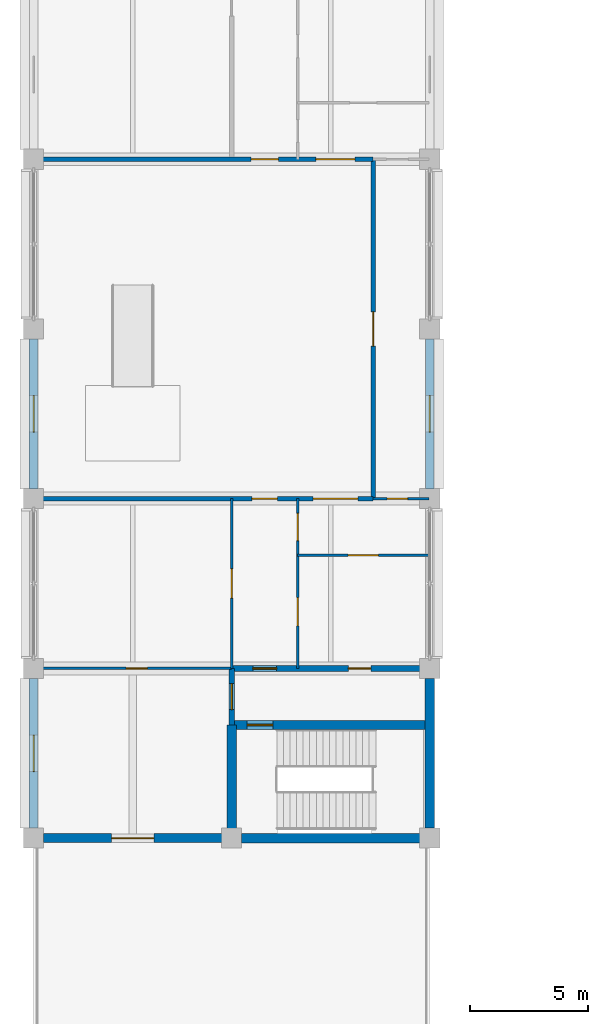
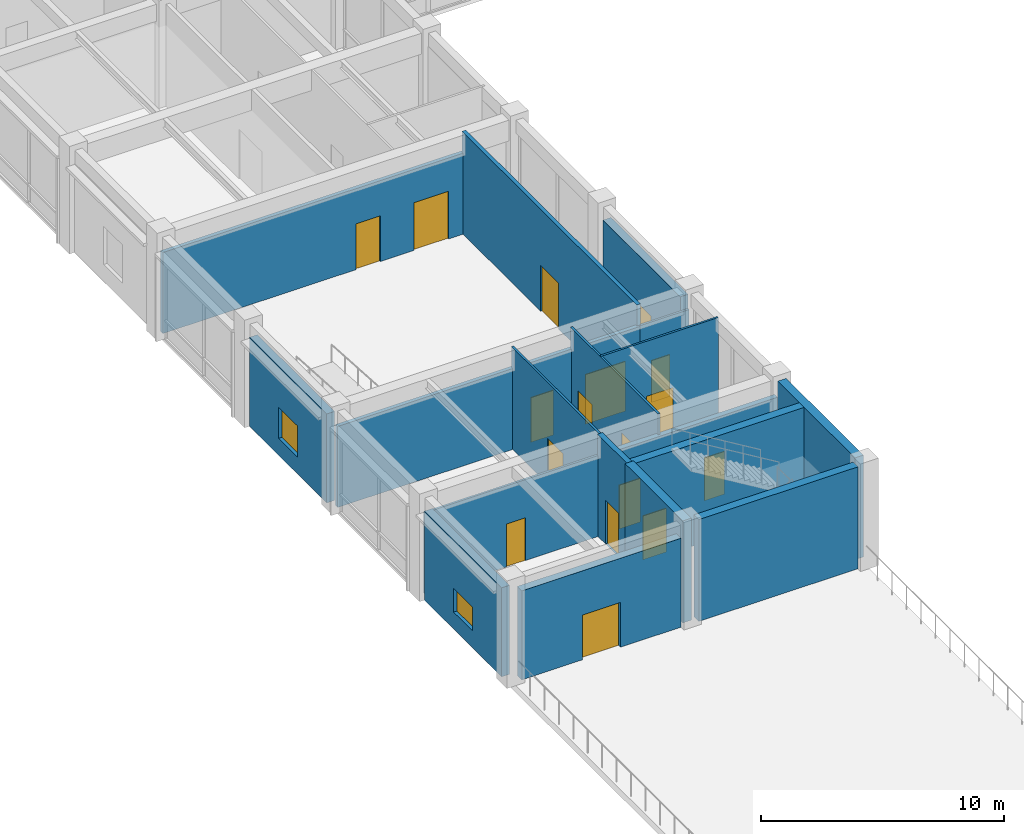
# One storey, part 23 of 51: 18 walls, 16 doors, 3 windows, 19 openings.
"""IFC4 building model written with IfcOpenShell, lengths in metres."""

import ifcopenshell
import ifcopenshell.guid

model = None  # the IFC model being written
_history = None  # IfcOwnerHistory: only IFC2X3 demands one
_inside = {}  # id of a spatial element -> (the spatial element, [elements in it])
_under = {}  # id of a project, library or spatial element -> (it, [spatial elements below it])
_declared = {}  # id of a project -> (the project, [libraries it declares])
_typed = {}  # id of a type object -> (the type object, [elements of that type])
_made_of = {}  # id of a material, layer set ... -> (it, [elements and type objects made of it])


def new_model(schema):
    """Start an empty IFC model of exactly this schema.

    Asked for "IFC4X3", IfcOpenShell would pick the latest addendum, in which some entities
    have other attributes; the version numbers below select the first issue.
    IFC2X3 requires an IfcOwnerHistory on every rooted entity: one is made here for all.
    """
    global model, _history
    if schema == "IFC4X3":
        model = ifcopenshell.file(schema_version=(4, 3, 0, 0))
    else:
        model = ifcopenshell.file(schema=schema)
    _inside.clear()
    _under.clear()
    _declared.clear()
    _typed.clear()
    _made_of.clear()
    _history = None
    if model.schema == "IFC2X3":
        org = make("IfcOrganization", Name="unknown")
        user = make(
            "IfcPersonAndOrganization",
            ThePerson=make("IfcPerson", FamilyName="unknown"),
            TheOrganization=org,
        )
        app = make(
            "IfcApplication",
            ApplicationDeveloper=org,
            Version="unknown",
            ApplicationFullName="unknown",
            ApplicationIdentifier="unknown",
        )
        _history = make(
            "IfcOwnerHistory",
            OwningUser=user,
            OwningApplication=app,
            ChangeAction="ADDED",
            CreationDate=0,
        )
    return model


def make(cls, **values):
    """One entity of the class cls with the attributes given. An attribute that is None is left unset."""
    return model.create_entity(
        cls, **{name: value for name, value in values.items() if value is not None}
    )


def rooted(cls, **values):
    """An entity with a GlobalId (a new one), such as an element, a storey or a relation."""
    return make(cls, GlobalId=ifcopenshell.guid.new(), OwnerHistory=_history, **values)


def si_unit(unit_type, name, prefix=None):
    """IfcSIUnit, for example si_unit("LENGTHUNIT", "METRE", prefix="MILLI")."""
    return make("IfcSIUnit", UnitType=unit_type, Prefix=prefix, Name=name)


def assignment(units):
    """IfcUnitAssignment: the units of a project."""
    return None if units is None else make("IfcUnitAssignment", Units=units)


def point(xyz):
    """IfcCartesianPoint."""
    return None if xyz is None else make("IfcCartesianPoint", Coordinates=xyz)


def direction(xyz):
    """IfcDirection."""
    return None if xyz is None else make("IfcDirection", DirectionRatios=xyz)


def frame(location, z_axis=None, x_axis=None):
    """IfcAxis2Placement3D, a coordinate frame: its origin and axes. An axis left out is left unset."""
    return make(
        "IfcAxis2Placement3D",
        Location=point(location),
        Axis=direction(z_axis),
        RefDirection=direction(x_axis),
    )


def frame_2d(location, x_axis=None):
    """IfcAxis2Placement2D, a coordinate frame in the plane: its origin and x axis."""
    return make(
        "IfcAxis2Placement2D", Location=point(location), RefDirection=direction(x_axis)
    )


def origin():
    """The frame at (0, 0, 0) with its axes left unset."""
    return frame((0.0, 0.0, 0.0))


def place(relative_to, where):
    """IfcLocalPlacement: puts the frame where relative to a parent placement (None: the world)."""
    return make(
        "IfcLocalPlacement", PlacementRelTo=relative_to, RelativePlacement=where
    )


def context(
    kind, dimensions, precision=None, world=None, true_north=None, identifier=None
):
    """IfcGeometricRepresentationContext, for example the 3D "Model" context."""
    return make(
        "IfcGeometricRepresentationContext",
        ContextIdentifier=identifier,
        ContextType=kind,
        CoordinateSpaceDimension=dimensions,
        Precision=precision,
        WorldCoordinateSystem=world,
        TrueNorth=true_north,
    )


def subcontext(parent, identifier, kind, view, scale=None):
    """IfcGeometricRepresentationSubContext, for example "Body" below "Model"."""
    return make(
        "IfcGeometricRepresentationSubContext",
        ContextIdentifier=identifier,
        ContextType=kind,
        ParentContext=parent,
        TargetScale=scale,
        TargetView=view,
    )


def project(units=None, contexts=None):
    """IfcProject with its units and contexts."""
    return rooted(
        "IfcProject",
        Name="project",
        RepresentationContexts=contexts,
        UnitsInContext=assignment(units),
    )


def spatial(cls, under=None, at=None, **own):
    """A site, building, storey or space (cls), placed at a placement, below another one or the project."""
    s = rooted(cls, ObjectPlacement=at, **own)
    if under is not None:
        _under.setdefault(under.id(), (under, []))[1].append(s)
    return s


def profile(cls, at=None, kind="AREA", **sizes):
    """A parametric profile (cls). Its sizes go by their IFC names, for example OverallWidth=200.0."""
    return make(cls, ProfileType=kind, Position=at, **sizes)


def rectangle(**sizes):
    """IfcRectangleProfileDef."""
    return profile("IfcRectangleProfileDef", **sizes)


def extrude(swept, where, along, depth):
    """IfcExtrudedAreaSolid: the profile swept, set in the frame where, extruded along a direction by depth."""
    return make(
        "IfcExtrudedAreaSolid",
        SweptArea=swept,
        Position=where,
        ExtrudedDirection=direction(along),
        Depth=depth,
    )


def shape(context_of_items, identifier, shape_type, items):
    """IfcShapeRepresentation: the items that make up one representation, for example the "Body"."""
    return make(
        "IfcShapeRepresentation",
        ContextOfItems=context_of_items,
        RepresentationIdentifier=identifier,
        RepresentationType=shape_type,
        Items=items,
    )


def material(Name=None, Category=None):
    """IfcMaterial."""
    return make("IfcMaterial", Name=Name, Category=Category)


def layer(
    of_material, thickness, ventilated=None, Name=None, Category=None, Priority=None
):
    """IfcMaterialLayer: one layer of a wall or slab, of a material (None: an air gap)."""
    return make(
        "IfcMaterialLayer",
        Material=of_material,
        LayerThickness=thickness,
        IsVentilated=ventilated,
        Name=Name,
        Category=Category,
        Priority=Priority,
    )


def layer_set(layers, Name=None):
    """IfcMaterialLayerSet."""
    return make("IfcMaterialLayerSet", MaterialLayers=layers, LayerSetName=Name)


def made_of(thing, what):
    """Note that an element or type object is made of a material, layer set ...; save() writes the relation."""
    if what is not None:
        _made_of.setdefault(what.id(), (what, []))[1].append(thing)
    return thing


def type_object(cls, material=None, **own):
    """A type object (cls), such as IfcWallType, which elements share."""
    return made_of(rooted(cls, **own), material)


def element(
    cls,
    number,
    at=None,
    inside=None,
    cuts=None,
    type_object=None,
    material=None,
    context=None,
    identifier="Body",
    shape_type=None,
    held_by="IfcProductDefinitionShape",
    body=None,
    shapes=None,
    **own,
):
    """One element of the class cls, such as IfcWall. Its Tag is "e" and its number.

    at: its placement. inside: the storey or other place that contains it. cuts: it is an
    opening in that element (IfcRelVoidsElement). A single representation is given by context,
    identifier, shape_type and body (its items); several are given by shapes. held_by: the class
    of the entity that holds the representations. save() writes the other relations.
    """
    e = rooted(cls, Tag="e%d" % number, ObjectPlacement=at, **own)
    if body is not None:
        shapes = [shape(context, identifier, shape_type, body)]
    if shapes is not None:
        e.Representation = make(held_by, Representations=shapes)
    if inside is not None:
        _inside.setdefault(inside.id(), (inside, []))[1].append(e)
    if cuts is not None:
        rooted(
            "IfcRelVoidsElement", RelatingBuildingElement=cuts, RelatedOpeningElement=e
        )
    if type_object is not None:
        _typed.setdefault(type_object.id(), (type_object, []))[1].append(e)
    return made_of(e, material)


def fill(opening, filler):
    """IfcRelFillsElement: the door or window that sits in an opening."""
    return rooted(
        "IfcRelFillsElement",
        RelatingOpeningElement=opening,
        RelatedBuildingElement=filler,
    )


def aggregate(whole, parts):
    """IfcRelAggregates: a whole, such as a stair, and the parts it consists of."""
    return rooted("IfcRelAggregates", RelatingObject=whole, RelatedObjects=parts)


def save(model, path):
    """Write the relations noted so far, then the file.

    IfcRelAggregates (storeys below a building ...), IfcRelContainedInSpatialStructure (elements
    in a storey), IfcRelDefinesByType, IfcRelAssociatesMaterial and IfcRelDeclares: one each for
    every whole, place, type object, material and project.
    """
    for whole, parts in _under.values():
        aggregate(whole, parts)
    for where, things in _inside.values():
        rooted(
            "IfcRelContainedInSpatialStructure",
            RelatedElements=things,
            RelatingStructure=where,
        )
    for kind, things in _typed.values():
        rooted("IfcRelDefinesByType", RelatedObjects=things, RelatingType=kind)
    for what, things in _made_of.values():
        rooted("IfcRelAssociatesMaterial", RelatedObjects=things, RelatingMaterial=what)
    for by, libraries in _declared.values():
        rooted("IfcRelDeclares", RelatingContext=by, RelatedDefinitions=libraries)
    model.write(path)


model = new_model("IFC4")

# Units and contexts
model_context = context("Model", 3, precision=1e-05, world=origin(), true_north=direction((0.0, 1.0)))
body_context = subcontext(model_context, "Body", "Model", "MODEL_VIEW")
ifc_project = project(units=[si_unit("LENGTHUNIT", "METRE"), si_unit("AREAUNIT", "SQUARE_METRE"), si_unit("VOLUMEUNIT", "CUBIC_METRE"), si_unit("PLANEANGLEUNIT", "RADIAN"), si_unit("MASSUNIT", "GRAM", prefix="KILO")], contexts=[model_context])

# Site, building, storey
site_placement = place(None, origin())
site = spatial("IfcSite", under=ifc_project, at=site_placement, CompositionType="ELEMENT")
building_placement = place(site_placement, origin())
building = spatial("IfcBuilding", under=site, at=building_placement, Name="Chengyuan Square Courthouse", CompositionType="ELEMENT")
storey_placement = place(building_placement, frame((0.0, 0.0, 10.800048828125)))
storey = spatial("IfcBuildingStorey", under=building, at=storey_placement, Name="L03", CompositionType="ELEMENT", Elevation=10.800048828125)

# Wall, opening, door
ifc_material_1 = material(Name="Concrete C40", Category="concrete")
ifc_layer_1 = layer(ifc_material_1, 0.3798828125)
ifc_layer_set_1 = layer_set([ifc_layer_1], Name="Concrete C40")
wall_type_1 = type_object("IfcWallType", Name="WL-EW1", PredefinedType="STANDARD", material=ifc_layer_set_1)
wall_1_placement = place(storey_placement, frame((0.419921875, 36.0, 0.0), z_axis=(0.0, 0.0, 1.0), x_axis=(1.0, 0.0, 0.0)))
wall_1 = element("IfcWall", 1, at=wall_1_placement, inside=storey, type_object=wall_type_1, Name="Exterior Wall WL-L03-E257", PredefinedType="STANDARD", context=body_context, shape_type="SweptSolid", body=[
    extrude(rectangle(XDim=7.56005859375, YDim=0.3798828125, at=frame_2d((3.780029296875, 0.0))), origin(), (0.0, 0.0, 1.0), 4.469970703125),
])
opening_1_placement = place(wall_1_placement, frame((2.8798828125, 0.0, 0.0)))
opening_1 = element("IfcOpeningElement", 2, at=opening_1_placement, cuts=wall_1, Name="Opening DR-002", PredefinedType="OPENING", context=body_context, shape_type="SweptSolid", body=[
    extrude(rectangle(XDim=1.800048828125, YDim=2.25, at=frame_2d((0.89990234375, 1.125))), frame((0.0, 0.201904296875, 0.0), z_axis=(0.0, -1.0, 0.0), x_axis=(1.0, 0.0, 0.0)), (0.0, 0.0, 1.0), 0.40380859375),
])
ifc_material_2 = material(Name="Thermally Broken Aluminium Terrace Door", Category="aluminium")
door_type_1 = type_object("IfcDoorType", Name="DT-02", OperationType="DOUBLE_DOOR_SINGLE_SWING", PredefinedType="DOOR", material=ifc_material_2)
door_1_placement = place(opening_1_placement, frame((1.800048828125, 0.0, 0.0), z_axis=(0.0, 0.0, 1.0), x_axis=(-1.0, 0.0, 0.0)))
door_1 = element("IfcDoor", 3, at=door_1_placement, inside=storey, type_object=door_type_1, Name="Planted Terrace Access Door DR-002", OperationType="DOUBLE_DOOR_SINGLE_SWING", OverallHeight=2.25, OverallWidth=1.800048828125, PredefinedType="DOOR", context=body_context, shape_type="SweptSolid", body=[
    extrude(rectangle(XDim=1.800048828125, YDim=2.25, at=frame_2d((0.89990234375, 1.125))), frame((0.0, 0.02490234375, 0.0), z_axis=(0.0, -1.0, 0.0), x_axis=(1.0, 0.0, 0.0)), (0.0, 0.0, 1.0), 0.050048828125),
])
fill(opening_1, door_1)

# Wall, opening, window
wall_2_placement = place(storey_placement, frame((0.0, 36.419921875, 0.0), z_axis=(0.0, 0.0, 1.0), x_axis=(0.0, 1.0, 0.0)))
wall_2 = element("IfcWall", 4, at=wall_2_placement, inside=storey, type_object=wall_type_1, Name="Exterior Wall WL-L03-E258", PredefinedType="STANDARD", context=body_context, shape_type="SweptSolid", body=[
    extrude(rectangle(XDim=6.360107421875, YDim=0.3798828125, at=frame_2d((3.18017578125, 0.0))), origin(), (0.0, 0.0, 1.0), 4.469970703125),
])
opening_2_placement = place(wall_2_placement, frame((2.405029296875, 0.0, 0.85009765625)))
opening_2 = element("IfcOpeningElement", 5, at=opening_2_placement, cuts=wall_2, Name="Opening WN-059", PredefinedType="OPENING", context=body_context, shape_type="SweptSolid", body=[
    extrude(rectangle(XDim=1.550048828125, YDim=1.199951171875, at=frame_2d((0.77490234375, 0.60009765625))), frame((0.0, 0.201904296875, 0.0), z_axis=(0.0, -1.0, 0.0), x_axis=(1.0, 0.0, 0.0)), (0.0, 0.0, 1.0), 0.40380859375),
])
ifc_material_3 = material(Name="Thermally Broken Aluminium Triple Low-E Window", Category="aluminium")
window_type_1 = type_object("IfcWindowType", Name="WT-25", PartitioningType="SINGLE_PANEL", PredefinedType="WINDOW", material=ifc_material_3)
window_1_placement = place(opening_2_placement, origin())
window_1 = element("IfcWindow", 6, at=window_1_placement, inside=storey, type_object=window_type_1, Name="Facade Window WN-059", OverallHeight=1.199951171875, OverallWidth=1.550048828125, PartitioningType="SINGLE_PANEL", PredefinedType="WINDOW", context=body_context, shape_type="SweptSolid", body=[
    extrude(rectangle(XDim=1.550048828125, YDim=1.199951171875, at=frame_2d((0.77490234375, 0.60009765625))), frame((0.0, 0.030029296875, 0.0), z_axis=(0.0, -1.0, 0.0), x_axis=(1.0, 0.0, 0.0)), (0.0, 0.0, 1.0), 0.06005859375),
])
fill(opening_2, window_1)

wall_3_placement = place(storey_placement, frame((0.0, 50.820068359375, 0.0), z_axis=(0.0, 0.0, 1.0), x_axis=(0.0, 1.0, 0.0)))
wall_3 = element("IfcWall", 7, at=wall_3_placement, inside=storey, type_object=wall_type_1, Name="Exterior Wall WL-L03-E259", PredefinedType="STANDARD", context=body_context, shape_type="SweptSolid", body=[
    extrude(rectangle(XDim=6.35986328125, YDim=0.3798828125, at=frame_2d((3.179931640625, 0.0))), origin(), (0.0, 0.0, 1.0), 4.469970703125),
])
opening_3_placement = place(wall_3_placement, frame((2.405029296875, 0.0, 0.85009765625)))
opening_3 = element("IfcOpeningElement", 8, at=opening_3_placement, cuts=wall_3, Name="Opening WN-060", PredefinedType="OPENING", context=body_context, shape_type="SweptSolid", body=[
    extrude(rectangle(XDim=1.550048828125, YDim=1.56005859375, at=frame_2d((0.77490234375, 0.780029296875))), frame((0.0, 0.201904296875, 0.0), z_axis=(0.0, -1.0, 0.0), x_axis=(1.0, 0.0, 0.0)), (0.0, 0.0, 1.0), 0.40380859375),
])
window_type_2 = type_object("IfcWindowType", Name="WT-27", PartitioningType="SINGLE_PANEL", PredefinedType="WINDOW", material=ifc_material_3)
window_2_placement = place(opening_3_placement, origin())
window_2 = element("IfcWindow", 9, at=window_2_placement, inside=storey, type_object=window_type_2, Name="Facade Window WN-060", OverallHeight=1.56005859375, OverallWidth=1.550048828125, PartitioningType="SINGLE_PANEL", PredefinedType="WINDOW", context=body_context, shape_type="SweptSolid", body=[
    extrude(rectangle(XDim=1.550048828125, YDim=1.56005859375, at=frame_2d((0.77490234375, 0.780029296875))), frame((0.0, 0.030029296875, 0.0), z_axis=(0.0, -1.0, 0.0), x_axis=(1.0, 0.0, 0.0)), (0.0, 0.0, 1.0), 0.06005859375),
])
fill(opening_3, window_2)

wall_4_placement = place(storey_placement, frame((16.800048828125, 50.820068359375, 0.0), z_axis=(0.0, 0.0, 1.0), x_axis=(0.0, 1.0, 0.0)))
wall_4 = element("IfcWall", 10, at=wall_4_placement, inside=storey, type_object=wall_type_1, Name="Exterior Wall WL-L03-E266", PredefinedType="STANDARD", context=body_context, shape_type="SweptSolid", body=[
    extrude(rectangle(XDim=6.35986328125, YDim=0.3798828125, at=frame_2d((3.179931640625, 0.0))), origin(), (0.0, 0.0, 1.0), 4.469970703125),
])
opening_4_placement = place(wall_4_placement, frame((2.405029296875, 0.0, 0.85009765625)))
opening_4 = element("IfcOpeningElement", 11, at=opening_4_placement, cuts=wall_4, Name="Opening WN-065", PredefinedType="OPENING", context=body_context, shape_type="SweptSolid", body=[
    extrude(rectangle(XDim=1.550048828125, YDim=1.199951171875, at=frame_2d((0.77490234375, 0.60009765625))), frame((0.0, 0.201904296875, 0.0), z_axis=(0.0, -1.0, 0.0), x_axis=(1.0, 0.0, 0.0)), (0.0, 0.0, 1.0), 0.40380859375),
])
window_3_placement = place(opening_4_placement, origin())
window_3 = element("IfcWindow", 12, at=window_3_placement, inside=storey, type_object=window_type_1, Name="Facade Window WN-065", OverallHeight=1.199951171875, OverallWidth=1.550048828125, PartitioningType="SINGLE_PANEL", PredefinedType="WINDOW", context=body_context, shape_type="SweptSolid", body=[
    extrude(rectangle(XDim=1.550048828125, YDim=1.199951171875, at=frame_2d((0.77490234375, 0.60009765625))), frame((0.0, 0.030029296875, 0.0), z_axis=(0.0, -1.0, 0.0), x_axis=(1.0, 0.0, 0.0)), (0.0, 0.0, 1.0), 0.06005859375),
])
fill(opening_4, window_3)

# Wall, openings, doors
ifc_layer_2 = layer(ifc_material_1, 0.25)
ifc_layer_set_2 = layer_set([ifc_layer_2], Name="Concrete C40")
wall_type_2 = type_object("IfcWallType", Name="WL-FW1", PredefinedType="STANDARD", material=ifc_layer_set_2)
wall_5_placement = place(storey_placement, frame((8.39990234375, 43.199951171875, 0.0), z_axis=(0.0, 0.0, 1.0), x_axis=(1.0, 0.0, 0.0)))
wall_5 = element("IfcWall", 13, at=wall_5_placement, inside=storey, type_object=wall_type_2, Name="Interior Wall WL-L03-I1391", PredefinedType="STANDARD", context=body_context, shape_type="SweptSolid", body=[
    extrude(rectangle(XDim=8.360107421875, YDim=0.25, at=frame_2d((4.18017578125, 0.0))), origin(), (0.0, 0.0, 1.0), 4.070068359375),
])
opening_5_placement = place(wall_5_placement, frame((0.89990234375, 0.0, 0.0)))
opening_5 = element("IfcOpeningElement", 14, at=opening_5_placement, cuts=wall_5, Name="Opening DR-1345", PredefinedType="OPENING", context=body_context, shape_type="SweptSolid", body=[
    extrude(rectangle(XDim=1.0, YDim=2.199951171875, at=frame_2d((0.5, 1.10009765625))), frame((0.0, 0.136962890625, 0.0), z_axis=(0.0, -1.0, 0.0), x_axis=(1.0, 0.0, 0.0)), (0.0, 0.0, 1.0), 0.27392578125),
])
opening_6_placement = place(wall_5_placement, frame((4.952392578125, 0.0, 0.0)))
opening_6 = element("IfcOpeningElement", 15, at=opening_6_placement, cuts=wall_5, Name="Opening DR-1346", PredefinedType="OPENING", context=body_context, shape_type="SweptSolid", body=[
    extrude(rectangle(XDim=0.949951171875, YDim=2.14990234375, at=frame_2d((0.47509765625, 1.074951171875))), frame((0.0, 0.136962890625, 0.0), z_axis=(0.0, -1.0, 0.0), x_axis=(1.0, 0.0, 0.0)), (0.0, 0.0, 1.0), 0.27392578125),
])
ifc_material_4 = material(Name="Steel Q235B Fire Door", Category="steel")
door_type_2 = type_object("IfcDoorType", Name="DT-11", OperationType="NOTDEFINED", PredefinedType="DOOR", material=ifc_material_4)
door_2_placement = place(opening_5_placement, origin())
door_2 = element("IfcDoor", 16, at=door_2_placement, inside=storey, type_object=door_type_2, Name="Interior Door DR-1345", OperationType="SINGLE_SWING_RIGHT", OverallHeight=2.199951171875, OverallWidth=1.0, PredefinedType="DOOR", context=body_context, shape_type="SweptSolid", body=[
    extrude(rectangle(XDim=1.0, YDim=2.199951171875, at=frame_2d((0.5, 1.10009765625))), frame((0.0, 0.02490234375, 0.0), z_axis=(0.0, -1.0, 0.0), x_axis=(1.0, 0.0, 0.0)), (0.0, 0.0, 1.0), 0.050048828125),
])
fill(opening_5, door_2)
door_type_3 = type_object("IfcDoorType", Name="DT-12", OperationType="NOTDEFINED", PredefinedType="DOOR", material=ifc_material_4)
door_3_placement = place(opening_6_placement, origin())
door_3 = element("IfcDoor", 17, at=door_3_placement, inside=storey, type_object=door_type_3, Name="Interior Door DR-1346", OperationType="SINGLE_SWING_LEFT", OverallHeight=2.14990234375, OverallWidth=0.949951171875, PredefinedType="DOOR", context=body_context, shape_type="SweptSolid", body=[
    extrude(rectangle(XDim=0.949951171875, YDim=2.14990234375, at=frame_2d((0.47509765625, 1.074951171875))), frame((0.0, 0.02490234375, 0.0), z_axis=(0.0, -1.0, 0.0), x_axis=(1.0, 0.0, 0.0)), (0.0, 0.0, 1.0), 0.050048828125),
])
fill(opening_6, door_3)

# Wall, opening, door
wall_6_placement = place(storey_placement, frame((8.39990234375, 40.800048828125, 0.0), z_axis=(0.0, 0.0, 1.0), x_axis=(0.0, 1.0, 0.0)))
wall_6 = element("IfcWall", 18, at=wall_6_placement, inside=storey, type_object=wall_type_2, Name="Interior Wall WL-L03-I1554", PredefinedType="STANDARD", context=body_context, shape_type="SweptSolid", body=[
    extrude(rectangle(XDim=2.39990234375, YDim=0.25, at=frame_2d((1.199951171875, 0.0))), origin(), (0.0, 0.0, 1.0), 5.119873046875),
])
opening_7_placement = place(wall_6_placement, frame((0.64990234375, 0.0, 0.0)))
opening_7 = element("IfcOpeningElement", 19, at=opening_7_placement, cuts=wall_6, Name="Opening DR-1347", PredefinedType="OPENING", context=body_context, shape_type="SweptSolid", body=[
    extrude(rectangle(XDim=1.10009765625, YDim=2.199951171875, at=frame_2d((0.550048828125, 1.10009765625))), frame((0.0, 0.136962890625, 0.0), z_axis=(0.0, -1.0, 0.0), x_axis=(1.0, 0.0, 0.0)), (0.0, 0.0, 1.0), 0.27392578125),
])
door_type_4 = type_object("IfcDoorType", Name="DT-10", OperationType="NOTDEFINED", PredefinedType="DOOR", material=ifc_material_4)
door_4_placement = place(opening_7_placement, origin())
door_4 = element("IfcDoor", 20, at=door_4_placement, inside=storey, type_object=door_type_4, Name="Interior Door DR-1347", OperationType="SINGLE_SWING_RIGHT", OverallHeight=2.199951171875, OverallWidth=1.10009765625, PredefinedType="DOOR", context=body_context, shape_type="SweptSolid", body=[
    extrude(rectangle(XDim=1.10009765625, YDim=2.199951171875, at=frame_2d((0.550048828125, 1.10009765625))), frame((0.0, 0.02490234375, 0.0), z_axis=(0.0, -1.0, 0.0), x_axis=(1.0, 0.0, 0.0)), (0.0, 0.0, 1.0), 0.050048828125),
])
fill(opening_7, door_4)

# Wall, openings, doors
ifc_material_5 = material(Name="Double-Stud Acoustic Gypsum Courtroom Partition")
ifc_layer_3 = layer(ifc_material_5, 0.179931640625)
ifc_layer_set_3 = layer_set([ifc_layer_3], Name="Double-Stud Acoustic Gypsum Courtroom Partition")
wall_type_3 = type_object("IfcWallType", Name="WL-PT1", PredefinedType="STANDARD", material=ifc_layer_set_3)
wall_7_placement = place(storey_placement, frame((0.0400390625, 50.39990234375, 0.0), z_axis=(0.0, 0.0, 1.0), x_axis=(1.0, 0.0, 0.0)))
wall_7 = element("IfcWall", 21, at=wall_7_placement, inside=storey, type_object=wall_type_3, Name="Interior Wall WL-L03-I1396", PredefinedType="STANDARD", context=body_context, shape_type="SweptSolid", body=[
    extrude(rectangle(XDim=14.35986328125, YDim=0.179931640625, at=frame_2d((7.179931640625, 0.0))), origin(), (0.0, 0.0, 1.0), 4.070068359375),
])
opening_8_placement = place(wall_7_placement, frame((9.219970703125, 0.0, 0.0)))
opening_8 = element("IfcOpeningElement", 22, at=opening_8_placement, cuts=wall_7, Name="Opening DR-1363", PredefinedType="OPENING", context=body_context, shape_type="SweptSolid", body=[
    extrude(rectangle(XDim=1.080078125, YDim=2.25, at=frame_2d((0.5400390625, 1.125))), frame((0.0, 0.10205078125, 0.0), z_axis=(0.0, -1.0, 0.0), x_axis=(1.0, 0.0, 0.0)), (0.0, 0.0, 1.0), 0.203857421875),
])
opening_9_placement = place(wall_7_placement, frame((11.81005859375, 0.0, 0.0)))
opening_9 = element("IfcOpeningElement", 23, at=opening_9_placement, cuts=wall_7, Name="Opening DR-1364", PredefinedType="OPENING", context=body_context, shape_type="SweptSolid", body=[
    extrude(rectangle(XDim=1.89990234375, YDim=2.5, at=frame_2d((0.949951171875, 1.25))), frame((0.0, 0.10205078125, 0.0), z_axis=(0.0, -1.0, 0.0), x_axis=(1.0, 0.0, 0.0)), (0.0, 0.0, 1.0), 0.203857421875),
])
ifc_material_6 = material(Name="Acoustic Larch Veneer Double Door")
door_type_5 = type_object("IfcDoorType", Name="DT-26", OperationType="DOUBLE_DOOR_SINGLE_SWING", PredefinedType="DOOR", material=ifc_material_6)
door_5_placement = place(opening_9_placement, frame((1.89990234375, 0.0, 0.0), z_axis=(0.0, 0.0, 1.0), x_axis=(-1.0, 0.0, 0.0)))
door_5 = element("IfcDoor", 24, at=door_5_placement, inside=storey, type_object=door_type_5, Name="Interior Door DR-1364", OperationType="DOUBLE_DOOR_SINGLE_SWING", OverallHeight=2.5, OverallWidth=1.89990234375, PredefinedType="DOOR", context=body_context, shape_type="SweptSolid", body=[
    extrude(rectangle(XDim=1.89990234375, YDim=2.5, at=frame_2d((0.949951171875, 1.25))), frame((0.0, 0.02490234375, 0.0), z_axis=(0.0, -1.0, 0.0), x_axis=(1.0, 0.0, 0.0)), (0.0, 0.0, 1.0), 0.050048828125),
])
fill(opening_9, door_5)
ifc_material_7 = material(Name="Acoustic Solid-Core Timber Door", Category="wood")
door_type_6 = type_object("IfcDoorType", Name="DT-33", OperationType="NOTDEFINED", PredefinedType="DOOR", material=ifc_material_7)
door_6_placement = place(opening_8_placement, origin())
door_6 = element("IfcDoor", 25, at=door_6_placement, inside=storey, type_object=door_type_6, Name="Interior Door DR-1363", OperationType="SINGLE_SWING_RIGHT", OverallHeight=2.25, OverallWidth=1.080078125, PredefinedType="DOOR", context=body_context, shape_type="SweptSolid", body=[
    extrude(rectangle(XDim=1.080078125, YDim=2.25, at=frame_2d((0.5400390625, 1.125))), frame((0.0, 0.02490234375, 0.0), z_axis=(0.0, -1.0, 0.0), x_axis=(1.0, 0.0, 0.0)), (0.0, 0.0, 1.0), 0.050048828125),
])
fill(opening_8, door_6)

wall_8_placement = place(storey_placement, frame((0.0400390625, 64.800048828125, 0.0), z_axis=(0.0, 0.0, 1.0), x_axis=(1.0, 0.0, 0.0)))
wall_8 = element("IfcWall", 26, at=wall_8_placement, inside=storey, type_object=wall_type_3, Name="Interior Wall WL-L03-I1400", PredefinedType="STANDARD", context=body_context, shape_type="SweptSolid", body=[
    extrude(rectangle(XDim=14.35986328125, YDim=0.179931640625, at=frame_2d((7.179931640625, 0.0))), origin(), (0.0, 0.0, 1.0), 4.070068359375),
])
opening_10_placement = place(wall_8_placement, frame((9.179931640625, 0.0, 0.0)))
opening_10 = element("IfcOpeningElement", 27, at=opening_10_placement, cuts=wall_8, Name="Opening DR-1365", PredefinedType="OPENING", context=body_context, shape_type="SweptSolid", body=[
    extrude(rectangle(XDim=1.159912109375, YDim=2.300048828125, at=frame_2d((0.580078125, 1.14990234375))), frame((0.0, 0.10205078125, 0.0), z_axis=(0.0, -1.0, 0.0), x_axis=(1.0, 0.0, 0.0)), (0.0, 0.0, 1.0), 0.203857421875),
])
opening_11_placement = place(wall_8_placement, frame((11.93505859375, 0.0, 0.0)))
opening_11 = element("IfcOpeningElement", 28, at=opening_11_placement, cuts=wall_8, Name="Opening DR-1366", PredefinedType="OPENING", context=body_context, shape_type="SweptSolid", body=[
    extrude(rectangle(XDim=1.64990234375, YDim=2.39990234375, at=frame_2d((0.824951171875, 1.199951171875))), frame((0.0, 0.10205078125, 0.0), z_axis=(0.0, -1.0, 0.0), x_axis=(1.0, 0.0, 0.0)), (0.0, 0.0, 1.0), 0.203857421875),
])
door_type_7 = type_object("IfcDoorType", Name="DT-22", OperationType="DOUBLE_DOOR_SINGLE_SWING", PredefinedType="DOOR", material=ifc_material_6)
door_7_placement = place(opening_11_placement, frame((1.64990234375, 0.0, 0.0), z_axis=(0.0, 0.0, 1.0), x_axis=(-1.0, 0.0, 0.0)))
door_7 = element("IfcDoor", 29, at=door_7_placement, inside=storey, type_object=door_type_7, Name="Interior Door DR-1366", OperationType="DOUBLE_DOOR_SINGLE_SWING", OverallHeight=2.39990234375, OverallWidth=1.64990234375, PredefinedType="DOOR", context=body_context, shape_type="SweptSolid", body=[
    extrude(rectangle(XDim=1.64990234375, YDim=2.39990234375, at=frame_2d((0.824951171875, 1.199951171875))), frame((0.0, 0.02490234375, 0.0), z_axis=(0.0, -1.0, 0.0), x_axis=(1.0, 0.0, 0.0)), (0.0, 0.0, 1.0), 0.050048828125),
])
fill(opening_11, door_7)
door_type_8 = type_object("IfcDoorType", Name="DT-35", OperationType="NOTDEFINED", PredefinedType="DOOR", material=ifc_material_7)
door_8_placement = place(opening_10_placement, origin())
door_8 = element("IfcDoor", 30, at=door_8_placement, inside=storey, type_object=door_type_8, Name="Interior Door DR-1365", OperationType="SINGLE_SWING_LEFT", OverallHeight=2.300048828125, OverallWidth=1.159912109375, PredefinedType="DOOR", context=body_context, shape_type="SweptSolid", body=[
    extrude(rectangle(XDim=1.159912109375, YDim=2.300048828125, at=frame_2d((0.580078125, 1.14990234375))), frame((0.0, 0.02490234375, 0.0), z_axis=(0.0, -1.0, 0.0), x_axis=(1.0, 0.0, 0.0)), (0.0, 0.0, 1.0), 0.050048828125),
])
fill(opening_10, door_8)

# Wall, opening, door
wall_9_placement = place(storey_placement, frame((14.39990234375, 50.39990234375, 0.0), z_axis=(0.0, 0.0, 1.0), x_axis=(0.0, 1.0, 0.0)))
wall_9 = element("IfcWall", 31, at=wall_9_placement, inside=storey, type_object=wall_type_3, Name="Interior Wall WL-L03-I1563", PredefinedType="STANDARD", context=body_context, shape_type="SweptSolid", body=[
    extrude(rectangle(XDim=14.400146484375, YDim=0.179931640625, at=frame_2d((7.2001953125, 0.0))), origin(), (0.0, 0.0, 1.0), 5.119873046875),
])
opening_12_placement = place(wall_9_placement, frame((6.47509765625, 0.0, 0.0)))
opening_12 = element("IfcOpeningElement", 32, at=opening_12_placement, cuts=wall_9, Name="Opening DR-1357", PredefinedType="OPENING", context=body_context, shape_type="SweptSolid", body=[
    extrude(rectangle(XDim=1.449951171875, YDim=2.300048828125, at=frame_2d((0.72509765625, 1.14990234375))), frame((0.0, 0.10205078125, 0.0), z_axis=(0.0, -1.0, 0.0), x_axis=(1.0, 0.0, 0.0)), (0.0, 0.0, 1.0), 0.203857421875),
])
door_type_9 = type_object("IfcDoorType", Name="DT-25", OperationType="DOUBLE_DOOR_SINGLE_SWING", PredefinedType="DOOR", material=ifc_material_6)
door_9_placement = place(opening_12_placement, frame((1.449951171875, 0.0, 0.0), z_axis=(0.0, 0.0, 1.0), x_axis=(-1.0, 0.0, 0.0)))
door_9 = element("IfcDoor", 33, at=door_9_placement, inside=storey, type_object=door_type_9, Name="Interior Door DR-1357", OperationType="DOUBLE_DOOR_SINGLE_SWING", OverallHeight=2.300048828125, OverallWidth=1.449951171875, PredefinedType="DOOR", context=body_context, shape_type="SweptSolid", body=[
    extrude(rectangle(XDim=1.449951171875, YDim=2.300048828125, at=frame_2d((0.72509765625, 1.14990234375))), frame((0.0, 0.02490234375, 0.0), z_axis=(0.0, -1.0, 0.0), x_axis=(1.0, 0.0, 0.0)), (0.0, 0.0, 1.0), 0.050048828125),
])
fill(opening_12, door_9)

ifc_material_8 = material(Name="Gypsum Plasterboard Acoustic Stud Partition")
ifc_layer_4 = layer(ifc_material_8, 0.10009765625)
ifc_layer_set_4 = layer_set([ifc_layer_4], Name="Gypsum Plasterboard Acoustic Stud Partition")
wall_type_4 = type_object("IfcWallType", Name="WL-PT6", PredefinedType="STANDARD", material=ifc_layer_set_4)
wall_10_placement = place(storey_placement, frame((0.0400390625, 43.199951171875, 0.0), z_axis=(0.0, 0.0, 1.0), x_axis=(1.0, 0.0, 0.0)))
wall_10 = element("IfcWall", 34, at=wall_10_placement, inside=storey, type_object=wall_type_4, Name="Interior Wall WL-L03-I1390", PredefinedType="STANDARD", context=body_context, shape_type="SweptSolid", body=[
    extrude(rectangle(XDim=8.35986328125, YDim=0.10009765625, at=frame_2d((4.179931640625, 0.0))), origin(), (0.0, 0.0, 1.0), 4.070068359375),
])
opening_13_placement = place(wall_10_placement, frame((3.882568359375, 0.0, 0.0)))
opening_13 = element("IfcOpeningElement", 35, at=opening_13_placement, cuts=wall_10, Name="Opening DR-1612", PredefinedType="OPENING", context=body_context, shape_type="SweptSolid", body=[
    extrude(rectangle(XDim=0.89990234375, YDim=2.14990234375, at=frame_2d((0.449951171875, 1.074951171875))), frame((0.0, 0.06201171875, 0.0), z_axis=(0.0, -1.0, 0.0), x_axis=(1.0, 0.0, 0.0)), (0.0, 0.0, 1.0), 0.1240234375),
])
door_type_10 = type_object("IfcDoorType", Name="DT-27", OperationType="NOTDEFINED", PredefinedType="DOOR", material=ifc_material_7)
door_10_placement = place(opening_13_placement, origin())
door_10 = element("IfcDoor", 36, at=door_10_placement, inside=storey, type_object=door_type_10, Name="Interior Door DR-1612", OperationType="SINGLE_SWING_LEFT", OverallHeight=2.14990234375, OverallWidth=0.89990234375, PredefinedType="DOOR", context=body_context, shape_type="SweptSolid", body=[
    extrude(rectangle(XDim=0.89990234375, YDim=2.14990234375, at=frame_2d((0.449951171875, 1.074951171875))), frame((0.0, 0.02490234375, 0.0), z_axis=(0.0, -1.0, 0.0), x_axis=(1.0, 0.0, 0.0)), (0.0, 0.0, 1.0), 0.050048828125),
])
fill(opening_13, door_10)

wall_11_placement = place(storey_placement, frame((11.199951171875, 48.0, 0.0), z_axis=(0.0, 0.0, 1.0), x_axis=(1.0, 0.0, 0.0)))
wall_11 = element("IfcWall", 37, at=wall_11_placement, inside=storey, type_object=wall_type_4, Name="Interior Wall WL-L03-I1394", PredefinedType="STANDARD", context=body_context, shape_type="SweptSolid", body=[
    extrude(rectangle(XDim=5.56005859375, YDim=0.10009765625, at=frame_2d((2.780029296875, 0.0))), origin(), (0.0, 0.0, 1.0), 5.119873046875),
])
opening_14_placement = place(wall_11_placement, frame((2.139892578125, 0.0, 0.0)))
opening_14 = element("IfcOpeningElement", 38, at=opening_14_placement, cuts=wall_11, Name="Opening DR-1606", PredefinedType="OPENING", context=body_context, shape_type="SweptSolid", body=[
    extrude(rectangle(XDim=1.280029296875, YDim=2.35009765625, at=frame_2d((0.64013671875, 1.175048828125))), frame((0.0, 0.06201171875, 0.0), z_axis=(0.0, -1.0, 0.0), x_axis=(1.0, 0.0, 0.0)), (0.0, 0.0, 1.0), 0.1240234375),
])
door_type_11 = type_object("IfcDoorType", Name="DT-38", OperationType="NOTDEFINED", PredefinedType="DOOR", material=ifc_material_7)
door_11_placement = place(opening_14_placement, origin())
door_11 = element("IfcDoor", 39, at=door_11_placement, inside=storey, type_object=door_type_11, Name="Interior Door DR-1606", OperationType="SINGLE_SWING_RIGHT", OverallHeight=2.35009765625, OverallWidth=1.280029296875, PredefinedType="DOOR", context=body_context, shape_type="SweptSolid", body=[
    extrude(rectangle(XDim=1.280029296875, YDim=2.35009765625, at=frame_2d((0.64013671875, 1.175048828125))), frame((0.0, 0.02490234375, 0.0), z_axis=(0.0, -1.0, 0.0), x_axis=(1.0, 0.0, 0.0)), (0.0, 0.0, 1.0), 0.050048828125),
])
fill(opening_14, door_11)

wall_12_placement = place(storey_placement, frame((14.39990234375, 50.39990234375, 0.0), z_axis=(0.0, 0.0, 1.0), x_axis=(1.0, 0.0, 0.0)))
wall_12 = element("IfcWall", 40, at=wall_12_placement, inside=storey, type_object=wall_type_4, Name="Interior Wall WL-L03-I1397", PredefinedType="STANDARD", context=body_context, shape_type="SweptSolid", body=[
    extrude(rectangle(XDim=2.360107421875, YDim=0.10009765625, at=frame_2d((1.18017578125, 0.0))), origin(), (0.0, 0.0, 1.0), 4.070068359375),
])
opening_15_placement = place(wall_12_placement, frame((0.597412109375, 0.0, 0.0)))
opening_15 = element("IfcOpeningElement", 41, at=opening_15_placement, cuts=wall_12, Name="Opening DR-1358", PredefinedType="OPENING", context=body_context, shape_type="SweptSolid", body=[
    extrude(rectangle(XDim=0.860107421875, YDim=2.10009765625, at=frame_2d((0.43017578125, 1.050048828125))), frame((0.0, 0.06201171875, 0.0), z_axis=(0.0, -1.0, 0.0), x_axis=(1.0, 0.0, 0.0)), (0.0, 0.0, 1.0), 0.1240234375),
])
door_type_12 = type_object("IfcDoorType", Name="DT-28", OperationType="NOTDEFINED", PredefinedType="DOOR", material=ifc_material_7)
door_12_placement = place(opening_15_placement, origin())
door_12 = element("IfcDoor", 42, at=door_12_placement, inside=storey, type_object=door_type_12, Name="Interior Door DR-1358", OperationType="SINGLE_SWING_RIGHT", OverallHeight=2.10009765625, OverallWidth=0.860107421875, PredefinedType="DOOR", context=body_context, shape_type="SweptSolid", body=[
    extrude(rectangle(XDim=0.860107421875, YDim=2.10009765625, at=frame_2d((0.43017578125, 1.050048828125))), frame((0.0, 0.02490234375, 0.0), z_axis=(0.0, -1.0, 0.0), x_axis=(1.0, 0.0, 0.0)), (0.0, 0.0, 1.0), 0.050048828125),
])
fill(opening_15, door_12)

wall_13_placement = place(storey_placement, frame((8.39990234375, 43.199951171875, 0.0), z_axis=(0.0, 0.0, 1.0), x_axis=(0.0, 1.0, 0.0)))
wall_13 = element("IfcWall", 43, at=wall_13_placement, inside=storey, type_object=wall_type_4, Name="Interior Wall WL-L03-I1555", PredefinedType="STANDARD", context=body_context, shape_type="SweptSolid", body=[
    extrude(rectangle(XDim=7.199951171875, YDim=0.10009765625, at=frame_2d((3.60009765625, 0.0))), origin(), (0.0, 0.0, 1.0), 5.119873046875),
])
opening_16_placement = place(wall_13_placement, frame((2.97998046875, 0.0, 0.0)))
opening_16 = element("IfcOpeningElement", 44, at=opening_16_placement, cuts=wall_13, Name="Opening DR-1605", PredefinedType="OPENING", context=body_context, shape_type="SweptSolid", body=[
    extrude(rectangle(XDim=1.239990234375, YDim=2.300048828125, at=frame_2d((0.6201171875, 1.14990234375))), frame((0.0, 0.06201171875, 0.0), z_axis=(0.0, -1.0, 0.0), x_axis=(1.0, 0.0, 0.0)), (0.0, 0.0, 1.0), 0.1240234375),
])
door_type_13 = type_object("IfcDoorType", Name="DT-37", OperationType="NOTDEFINED", PredefinedType="DOOR", material=ifc_material_7)
door_13_placement = place(opening_16_placement, origin())
door_13 = element("IfcDoor", 45, at=door_13_placement, inside=storey, type_object=door_type_13, Name="Interior Door DR-1605", OperationType="SINGLE_SWING_LEFT", OverallHeight=2.300048828125, OverallWidth=1.239990234375, PredefinedType="DOOR", context=body_context, shape_type="SweptSolid", body=[
    extrude(rectangle(XDim=1.239990234375, YDim=2.300048828125, at=frame_2d((0.6201171875, 1.14990234375))), frame((0.0, 0.02490234375, 0.0), z_axis=(0.0, -1.0, 0.0), x_axis=(1.0, 0.0, 0.0)), (0.0, 0.0, 1.0), 0.050048828125),
])
fill(opening_16, door_13)

# Wall, openings, doors
wall_14_placement = place(storey_placement, frame((11.199951171875, 43.199951171875, 0.0), z_axis=(0.0, 0.0, 1.0), x_axis=(0.0, 1.0, 0.0)))
wall_14 = element("IfcWall", 46, at=wall_14_placement, inside=storey, type_object=wall_type_4, Name="Interior Wall WL-L03-I1561", PredefinedType="STANDARD", context=body_context, shape_type="SweptSolid", body=[
    extrude(rectangle(XDim=7.199951171875, YDim=0.10009765625, at=frame_2d((3.60009765625, 0.0))), origin(), (0.0, 0.0, 1.0), 5.119873046875),
])
opening_17_placement = place(wall_14_placement, frame((5.419921875, 0.0, 0.0)))
opening_17 = element("IfcOpeningElement", 47, at=opening_17_placement, cuts=wall_14, Name="Opening DR-1603", PredefinedType="OPENING", context=body_context, shape_type="SweptSolid", body=[
    extrude(rectangle(XDim=1.159912109375, YDim=2.300048828125, at=frame_2d((0.580078125, 1.14990234375))), frame((0.0, 0.06201171875, 0.0), z_axis=(0.0, -1.0, 0.0), x_axis=(1.0, 0.0, 0.0)), (0.0, 0.0, 1.0), 0.1240234375),
])
opening_18_placement = place(wall_14_placement, frame((1.800048828125, 0.0, 0.0)))
opening_18 = element("IfcOpeningElement", 48, at=opening_18_placement, cuts=wall_14, Name="Opening DR-1604", PredefinedType="OPENING", context=body_context, shape_type="SweptSolid", body=[
    extrude(rectangle(XDim=1.199951171875, YDim=2.35009765625, at=frame_2d((0.60009765625, 1.175048828125))), frame((0.0, 0.06201171875, 0.0), z_axis=(0.0, -1.0, 0.0), x_axis=(1.0, 0.0, 0.0)), (0.0, 0.0, 1.0), 0.1240234375),
])
door_14_placement = place(opening_17_placement, origin())
door_14 = element("IfcDoor", 49, at=door_14_placement, inside=storey, type_object=door_type_8, Name="Interior Door DR-1603", OperationType="SINGLE_SWING_LEFT", OverallHeight=2.300048828125, OverallWidth=1.159912109375, PredefinedType="DOOR", context=body_context, shape_type="SweptSolid", body=[
    extrude(rectangle(XDim=1.159912109375, YDim=2.300048828125, at=frame_2d((0.580078125, 1.14990234375))), frame((0.0, 0.02490234375, 0.0), z_axis=(0.0, -1.0, 0.0), x_axis=(1.0, 0.0, 0.0)), (0.0, 0.0, 1.0), 0.050048828125),
])
fill(opening_17, door_14)
door_type_14 = type_object("IfcDoorType", Name="DT-36", OperationType="NOTDEFINED", PredefinedType="DOOR", material=ifc_material_7)
door_15_placement = place(opening_18_placement, origin())
door_15 = element("IfcDoor", 50, at=door_15_placement, inside=storey, type_object=door_type_14, Name="Interior Door DR-1604", OperationType="SINGLE_SWING_RIGHT", OverallHeight=2.35009765625, OverallWidth=1.199951171875, PredefinedType="DOOR", context=body_context, shape_type="SweptSolid", body=[
    extrude(rectangle(XDim=1.199951171875, YDim=2.35009765625, at=frame_2d((0.60009765625, 1.175048828125))), frame((0.0, 0.02490234375, 0.0), z_axis=(0.0, -1.0, 0.0), x_axis=(1.0, 0.0, 0.0)), (0.0, 0.0, 1.0), 0.050048828125),
])
fill(opening_18, door_15)

# Walls
ifc_material_9 = material(Name="Concrete C50", Category="concrete")
ifc_layer_5 = layer(ifc_material_9, 0.39990234375)
ifc_layer_set_5 = layer_set([ifc_layer_5], Name="Concrete C50")
wall_type_5 = type_object("IfcWallType", Name="WL-SW1", PredefinedType="SHEAR", material=ifc_layer_set_5)
wall_15_placement = place(storey_placement, frame((8.820068359375, 36.0, 0.0), z_axis=(0.0, 0.0, 1.0), x_axis=(1.0, 0.0, 0.0)))
element("IfcWall", 51, at=wall_15_placement, inside=storey, type_object=wall_type_5, Name="Exterior Wall WL-L03-E264", PredefinedType="SHEAR", context=body_context, shape_type="SweptSolid", body=[
    extrude(rectangle(XDim=7.559814453125, YDim=0.39990234375, at=frame_2d((3.77978515625, 0.0))), origin(), (0.0, 0.0, 1.0), 5.119873046875),
])
wall_16_placement = place(storey_placement, frame((16.800048828125, 36.419921875, 0.0), z_axis=(0.0, 0.0, 1.0), x_axis=(0.0, 1.0, 0.0)))
element("IfcWall", 52, at=wall_16_placement, inside=storey, type_object=wall_type_5, Name="Exterior Wall WL-L03-E265", PredefinedType="SHEAR", context=body_context, shape_type="SweptSolid", body=[
    extrude(rectangle(XDim=6.360107421875, YDim=0.39990234375, at=frame_2d((3.18017578125, 0.0))), origin(), (0.0, 0.0, 1.0), 5.119873046875),
])

# Wall, opening, door
wall_17_placement = place(storey_placement, frame((8.39990234375, 40.800048828125, 0.0), z_axis=(0.0, 0.0, 1.0), x_axis=(1.0, 0.0, 0.0)))
wall_17 = element("IfcWall", 53, at=wall_17_placement, inside=storey, type_object=wall_type_5, Name="Interior Wall WL-L03-I1388", PredefinedType="SHEAR", context=body_context, shape_type="SweptSolid", body=[
    extrude(rectangle(XDim=8.360107421875, YDim=0.39990234375, at=frame_2d((4.18017578125, 0.0))), origin(), (0.0, 0.0, 1.0), 5.119873046875),
])
opening_19_placement = place(wall_17_placement, frame((0.64990234375, 0.0, 0.0)))
opening_19 = element("IfcOpeningElement", 54, at=opening_19_placement, cuts=wall_17, Name="Opening DR-1323", PredefinedType="OPENING", context=body_context, shape_type="SweptSolid", body=[
    extrude(rectangle(XDim=1.10009765625, YDim=2.199951171875, at=frame_2d((0.550048828125, 1.10009765625))), frame((0.0, 0.2119140625, 0.0), z_axis=(0.0, -1.0, 0.0), x_axis=(1.0, 0.0, 0.0)), (0.0, 0.0, 1.0), 0.423828125),
])
door_16_placement = place(opening_19_placement, frame((1.10009765625, 0.0, 0.0), z_axis=(0.0, 0.0, 1.0), x_axis=(-1.0, 0.0, 0.0)))
door_16 = element("IfcDoor", 55, at=door_16_placement, inside=storey, type_object=door_type_4, Name="Smoke-Proof Stairwell Fire Door ST-7 DR-1323", OperationType="SINGLE_SWING_RIGHT", OverallHeight=2.199951171875, OverallWidth=1.10009765625, PredefinedType="DOOR", context=body_context, shape_type="SweptSolid", body=[
    extrude(rectangle(XDim=1.10009765625, YDim=2.199951171875, at=frame_2d((0.550048828125, 1.10009765625))), frame((0.0, 0.02490234375, 0.0), z_axis=(0.0, -1.0, 0.0), x_axis=(1.0, 0.0, 0.0)), (0.0, 0.0, 1.0), 0.050048828125),
])
fill(opening_19, door_16)

# Wall
wall_18_placement = place(storey_placement, frame((8.39990234375, 36.0400390625, 0.0), z_axis=(0.0, 0.0, 1.0), x_axis=(0.0, 1.0, 0.0)))
element("IfcWall", 56, at=wall_18_placement, inside=storey, type_object=wall_type_5, Name="Interior Wall WL-L03-I1553", PredefinedType="SHEAR", context=body_context, shape_type="SweptSolid", body=[
    extrude(rectangle(XDim=4.760009765625, YDim=0.39990234375, at=frame_2d((2.3798828125, 0.0))), origin(), (0.0, 0.0, 1.0), 5.119873046875),
])

save(model, "model.ifc")
